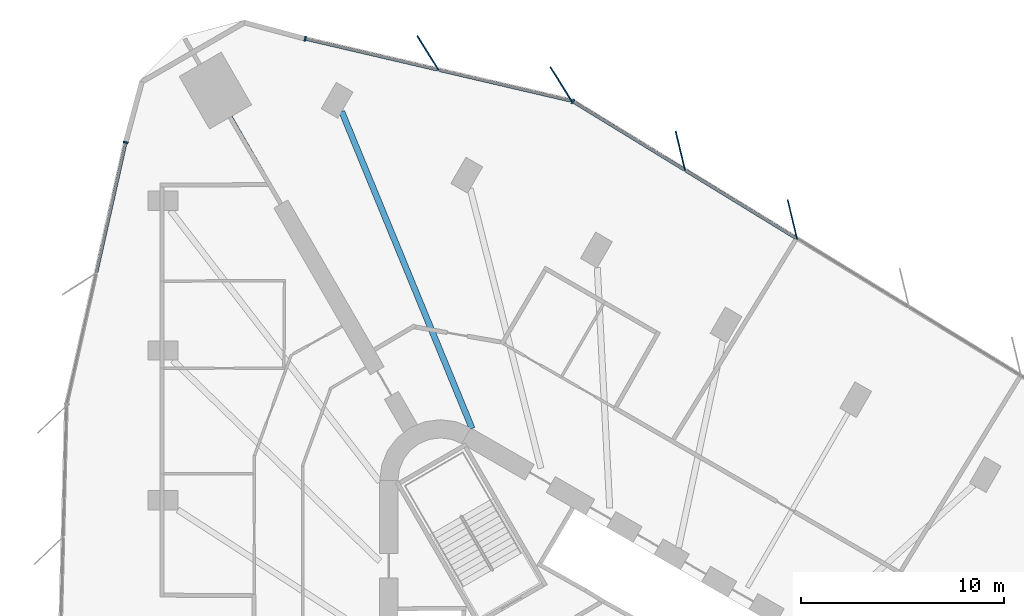
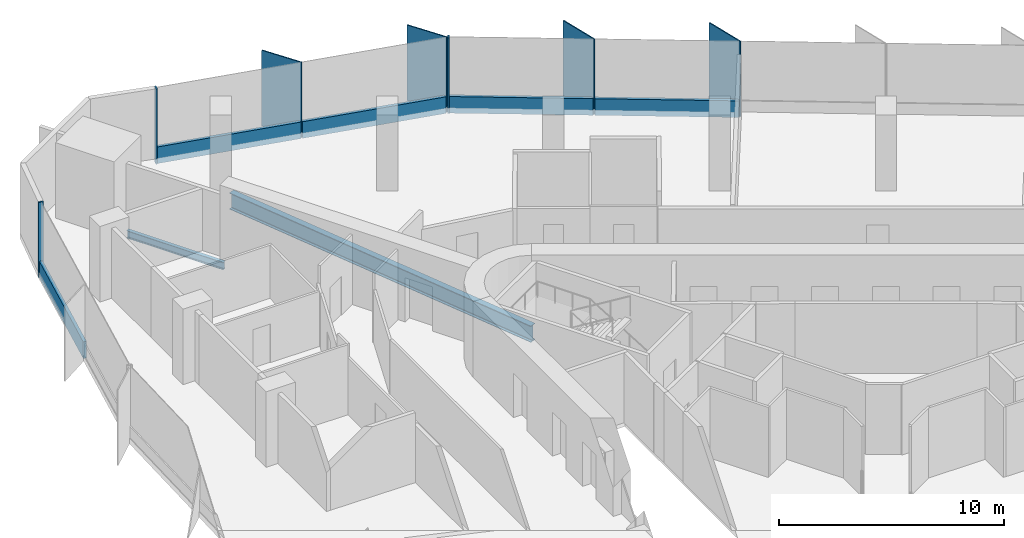
# One storey, part 7 of 14: 12 members, 2 beams, 3 elements without a shape of their own.
"""IFC4 building model written with IfcOpenShell, lengths in metres."""

from ifc_helpers import new_model, si_unit, direction, frame, origin, origin_2d, place, context, subcontext, project, spatial, rectangle, i_section, extrude, material, material_profile, profile_set, type_object, element, aggregate, save


model = new_model("IFC4")

# Units and contexts
model_context = context("Model", 3, precision=1e-05, world=origin(), true_north=direction((0.0, 1.0)))
body_context = subcontext(model_context, "Body", "Model", "MODEL_VIEW")
ifc_project = project(units=[si_unit("LENGTHUNIT", "METRE"), si_unit("AREAUNIT", "SQUARE_METRE"), si_unit("VOLUMEUNIT", "CUBIC_METRE"), si_unit("PLANEANGLEUNIT", "RADIAN"), si_unit("MASSUNIT", "GRAM", prefix="KILO")], contexts=[model_context])

# Site, building, storey
site_placement = place(None, origin())
site = spatial("IfcSite", under=ifc_project, at=site_placement, CompositionType="ELEMENT")
building_placement = place(site_placement, origin())
building = spatial("IfcBuilding", under=site, at=building_placement, Name="Tanit Gate Tower", CompositionType="ELEMENT")
storey_placement = place(building_placement, frame((0.0, 0.0, 123.39990234375)))
storey = spatial("IfcBuildingStorey", under=building, at=storey_placement, Name="L26", CompositionType="ELEMENT", Elevation=123.39990234375)

# Curtain wall, members
ifc_material_1 = material(Name="Aluminium bronze anodised and glass", Category="aluminium")
curtain_wall_type = type_object("IfcCurtainWallType", Name="Curtain wall typical low", PredefinedType="NOTDEFINED", material=ifc_material_1)
curtain_wall_1_placement = place(storey_placement, origin())
curtain_wall_1 = element("IfcCurtainWall", 1, at=curtain_wall_1_placement, inside=storey, type_object=curtain_wall_type, Name="Curtain wall L26 NE2", PredefinedType="NOTDEFINED")
ifc_material_2 = material(Name="Aluminium bronze anodised", Category="aluminium")
ifc_material_profile_1 = material_profile(ifc_material_2, rectangle(XDim=2.0, YDim=0.055908203125, at=origin_2d()), Name="56x2000 bronze fin mullion")
ifc_profile_set_1 = profile_set([ifc_material_profile_1], Name="Aluminium bronze anodised")
member_type_1 = type_object("IfcMemberType", Name="FIN MULLION 56x2000 bronze", PredefinedType="MULLION", material=ifc_profile_set_1)
member_1_placement = place(storey_placement, frame((8.274169921875, 28.646484375, -0.2998046875), z_axis=(0.0, 0.0, 1.0), x_axis=(0.23355666729, -0.97234319207, 0.0)))
member_1 = element("IfcMember", 2, at=member_1_placement, type_object=member_type_1, Name="Fin mullion L26 NE2.5", PredefinedType="MULLION", context=body_context, shape_type="SweptSolid", body=[
    extrude(rectangle(XDim=2.0, YDim=0.055908203125, at=origin_2d()), origin(), (0.0, 0.0, 1.0), 4.099853515625),
])
member_2_placement = place(storey_placement, frame((2.7421875, 32.03564453125, -0.2998046875), z_axis=(0.0, 0.0, 1.0), x_axis=(0.23355666729, -0.97234319207, 0.0)))
member_2 = element("IfcMember", 3, at=member_2_placement, type_object=member_type_1, Name="Fin mullion L26 NE2.6", PredefinedType="MULLION", context=body_context, shape_type="SweptSolid", body=[
    extrude(rectangle(XDim=2.0, YDim=0.055908203125, at=origin_2d()), origin(), (0.0, 0.0, 1.0), 4.099853515625),
])

curtain_wall_2_placement = place(storey_placement, origin())
curtain_wall_2 = element("IfcCurtainWall", 4, at=curtain_wall_2_placement, inside=storey, type_object=curtain_wall_type, Name="Curtain wall L26 NE3", PredefinedType="NOTDEFINED")
member_3_placement = place(storey_placement, frame((-3.15087890625, 35.334228515625, -0.2998046875), z_axis=(0.0, 0.0, 1.0), x_axis=(0.528085925878, -0.849190941361, 0.0)))
member_3 = element("IfcMember", 5, at=member_3_placement, type_object=member_type_1, Name="Fin mullion L26 NE3.1", PredefinedType="MULLION", context=body_context, shape_type="SweptSolid", body=[
    extrude(rectangle(XDim=2.0, YDim=0.055908203125, at=origin_2d()), origin(), (0.0, 0.0, 1.0), 4.099853515625),
])
member_4_placement = place(storey_placement, frame((-9.722412109375, 36.866455078125, -0.2998046875), z_axis=(0.0, 0.0, 1.0), x_axis=(0.528085925878, -0.849190941361, 0.0)))
member_4 = element("IfcMember", 6, at=member_4_placement, type_object=member_type_1, Name="Fin mullion L26 NE3.2", PredefinedType="MULLION", context=body_context, shape_type="SweptSolid", body=[
    extrude(rectangle(XDim=2.0, YDim=0.055908203125, at=origin_2d()), origin(), (0.0, 0.0, 1.0), 4.099853515625),
])

# Member
ifc_material_3 = material(Name="Aluminium bronze anodised", Category="aluminium")
ifc_material_profile_2 = material_profile(ifc_material_3, rectangle(XDim=0.239990234375, YDim=0.080078125, at=origin_2d()), Name="80x240 bronze mullion")
ifc_profile_set_2 = profile_set([ifc_material_profile_2], Name="Aluminium bronze anodised")
member_type_2 = type_object("IfcMemberType", Name="Mullion 80x240 typical low", PredefinedType="MULLION", material=ifc_profile_set_2)
member_5_placement = place(storey_placement, frame((-2.5615234375, 34.474365234375, -0.2998046875), z_axis=(0.0, 0.0, 1.0), x_axis=(-0.522400961521, -0.852699967985, 0.0)))
member_5 = element("IfcMember", 7, at=member_5_placement, type_object=member_type_2, Name="Mullion L26 NE2.7", PredefinedType="MULLION", context=body_context, shape_type="SweptSolid", body=[
    extrude(rectangle(XDim=0.239990234375, YDim=0.080078125, at=origin_2d()), origin(), (0.0, 0.0, 1.0), 4.099853515625),
])

member_6_placement = place(storey_placement, frame((-15.778076171875, 37.568603515625, -0.2998046875), z_axis=(0.0, 0.0, 1.0), x_axis=(-0.227055533921, -0.973881812396, 0.0)))
member_6 = element("IfcMember", 8, at=member_6_placement, type_object=member_type_2, Name="Mullion L26 NE3.3", PredefinedType="MULLION", context=body_context, shape_type="SweptSolid", body=[
    extrude(rectangle(XDim=0.239990234375, YDim=0.080078125, at=origin_2d()), origin(), (0.0, 0.0, 1.0), 4.099853515625),
])

# Curtain wall, member
curtain_wall_3_placement = place(storey_placement, origin())
curtain_wall_3 = element("IfcCurtainWall", 9, at=curtain_wall_3_placement, inside=storey, type_object=curtain_wall_type, Name="Curtain wall L26 W1", PredefinedType="NOTDEFINED")
member_7_placement = place(storey_placement, frame((-24.642333984375, 32.451904296875, -0.2998046875), z_axis=(0.0, 0.0, 1.0), x_axis=(0.975577194321, -0.21965686404, 0.0)))
member_7 = element("IfcMember", 10, at=member_7_placement, type_object=member_type_2, Name="Mullion L26 W1.1", PredefinedType="MULLION", context=body_context, shape_type="SweptSolid", body=[
    extrude(rectangle(XDim=0.239990234375, YDim=0.080078125, at=origin_2d()), origin(), (0.0, 0.0, 1.0), 4.099853515625),
])

# Beams
ifc_material_4 = material(Name="Steel S355", Category="steel")
ifc_material_profile_3 = material_profile(ifc_material_4, i_section(OverallWidth=0.300048828125, OverallDepth=0.889892578125, WebThickness=0.01611328125, FlangeThickness=0.030029296875, FilletRadius=0.030029296875, at=origin_2d()), Name="HEA 900")
ifc_profile_set_3 = profile_set([ifc_material_profile_3], Name="Steel S355")
beam_type_1 = type_object("IfcBeamType", Name="RADIAL GIRDER HEA 900 S355", PredefinedType="BEAM", material=ifc_profile_set_3)
beam_1_placement = place(storey_placement, frame((-13.976318359375, 33.9736328125, -0.744873046875), z_axis=(0.380451490729, -0.924800877596, 0.0), x_axis=(0.924800877596, 0.380451490729, 0.0)))
element("IfcBeam", 11, at=beam_1_placement, inside=storey, type_object=beam_type_1, Name="RADIAL GIRDER", PredefinedType="BEAM", context=body_context, shape_type="SweptSolid", body=[
    extrude(i_section(OverallWidth=0.300048828125, OverallDepth=0.889892578125, WebThickness=0.01611328125, FlangeThickness=0.030029296875, FilletRadius=0.030029296875, at=origin_2d()), origin(), (0.0, 0.0, 1.0), 16.918701171875),
])
ifc_material_5 = material(Name="Steel S355", Category="steel")
ifc_material_profile_4 = material_profile(ifc_material_5, i_section(OverallWidth=0.179931640625, OverallDepth=0.39990234375, WebThickness=0.008544921875, FlangeThickness=0.013427734375, FilletRadius=0.02099609375, at=origin_2d()), Name="IPE 400")
ifc_profile_set_4 = profile_set([ifc_material_profile_4], Name="Steel S355")
beam_type_2 = type_object("IfcBeamType", Name="RADIAL GIRDER IPE 400 S355", PredefinedType="BEAM", material=ifc_profile_set_4)
beam_2_placement = place(storey_placement, frame((-19.462646484375, 33.71044921875, -0.5), z_axis=(0.499969421594, -0.866043057515, 0.0), x_axis=(0.866043057515, 0.499969421594, 0.0)))
element("IfcBeam", 12, at=beam_2_placement, inside=storey, type_object=beam_type_2, Name="RADIAL GIRDER", PredefinedType="BEAM", context=body_context, shape_type="SweptSolid", body=[
    extrude(i_section(OverallWidth=0.179931640625, OverallDepth=0.39990234375, WebThickness=0.008544921875, FlangeThickness=0.013427734375, FilletRadius=0.02099609375, at=origin_2d()), origin(), (0.0, 0.0, 1.0), 4.963134765625),
])

# Member
ifc_material_6 = material(Name="Aluminium bronze anodised", Category="aluminium")
ifc_material_profile_5 = material_profile(ifc_material_6, rectangle(XDim=0.159912109375, YDim=0.89990234375, at=origin_2d()), Name="160x900 bronze transom")
ifc_profile_set_5 = profile_set([ifc_material_profile_5], Name="Aluminium bronze anodised")
member_type_3 = type_object("IfcMemberType", Name="Transom 160x900 typical low", PredefinedType="USERDEFINED", material=ifc_profile_set_5)
member_8_placement = place(storey_placement, frame((8.46826171875, 27.717041015625, 0.150146484375), z_axis=(-0.852705831089, 0.522391391225, 0.0), x_axis=(-0.522391391225, -0.852705831089, 0.0)))
member_8 = element("IfcMember", 13, at=member_8_placement, type_object=member_type_3, Name="Transom L26 NE2.5", ObjectType="TRANSOM", PredefinedType="USERDEFINED", context=body_context, shape_type="SweptSolid", body=[
    extrude(rectangle(XDim=0.159912109375, YDim=0.89990234375, at=origin_2d()), origin(), (0.0, 0.0, 1.0), 6.407470703125),
])

member_9_placement = place(storey_placement, frame((2.936279296875, 31.106201171875, 0.150146484375), z_axis=(-0.852705831089, 0.522391391225, 0.0), x_axis=(-0.522391391225, -0.852705831089, 0.0)))
member_9 = element("IfcMember", 14, at=member_9_placement, type_object=member_type_3, Name="Transom L26 NE2.6", ObjectType="TRANSOM", PredefinedType="USERDEFINED", context=body_context, shape_type="SweptSolid", body=[
    extrude(rectangle(XDim=0.159912109375, YDim=0.89990234375, at=origin_2d()), origin(), (0.0, 0.0, 1.0), 6.407470703125),
])

aggregate(curtain_wall_1, [member_1, member_2, member_5, member_8, member_9])

member_10_placement = place(storey_placement, frame((-2.673583984375, 34.513427734375, 0.150146484375), z_axis=(-0.973883325225, 0.22704904503, 0.0), x_axis=(-0.22704904503, -0.973883325225, 0.0)))
member_10 = element("IfcMember", 15, at=member_10_placement, type_object=member_type_3, Name="Transom L26 NE3.1", ObjectType="TRANSOM", PredefinedType="USERDEFINED", context=body_context, shape_type="SweptSolid", body=[
    extrude(rectangle(XDim=0.159912109375, YDim=0.89990234375, at=origin_2d()), origin(), (0.0, 0.0, 1.0), 6.667724609375),
])

member_11_placement = place(storey_placement, frame((-9.245361328125, 36.045654296875, 0.150146484375), z_axis=(-0.973883325225, 0.22704904503, 0.0), x_axis=(-0.22704904503, -0.973883325225, 0.0)))
member_11 = element("IfcMember", 16, at=member_11_placement, type_object=member_type_3, Name="Transom L26 NE3.2", ObjectType="TRANSOM", PredefinedType="USERDEFINED", context=body_context, shape_type="SweptSolid", body=[
    extrude(rectangle(XDim=0.159912109375, YDim=0.89990234375, at=origin_2d()), origin(), (0.0, 0.0, 1.0), 6.667724609375),
])

aggregate(curtain_wall_2, [member_3, member_4, member_6, member_10, member_11])

member_12_placement = place(storey_placement, frame((-24.651123046875, 32.412841796875, 0.150146484375), z_axis=(-0.219664987345, -0.975575365277, 0.0), x_axis=(0.975575365277, -0.219664987345, 0.0)))
member_12 = element("IfcMember", 17, at=member_12_placement, type_object=member_type_3, Name="Transom L26 W1.1", ObjectType="TRANSOM", PredefinedType="USERDEFINED", context=body_context, shape_type="SweptSolid", body=[
    extrude(rectangle(XDim=0.159912109375, YDim=0.89990234375, at=origin_2d()), origin(), (0.0, 0.0, 1.0), 6.53955078125),
])

aggregate(curtain_wall_3, [member_7, member_12])

save(model, "model.ifc")
